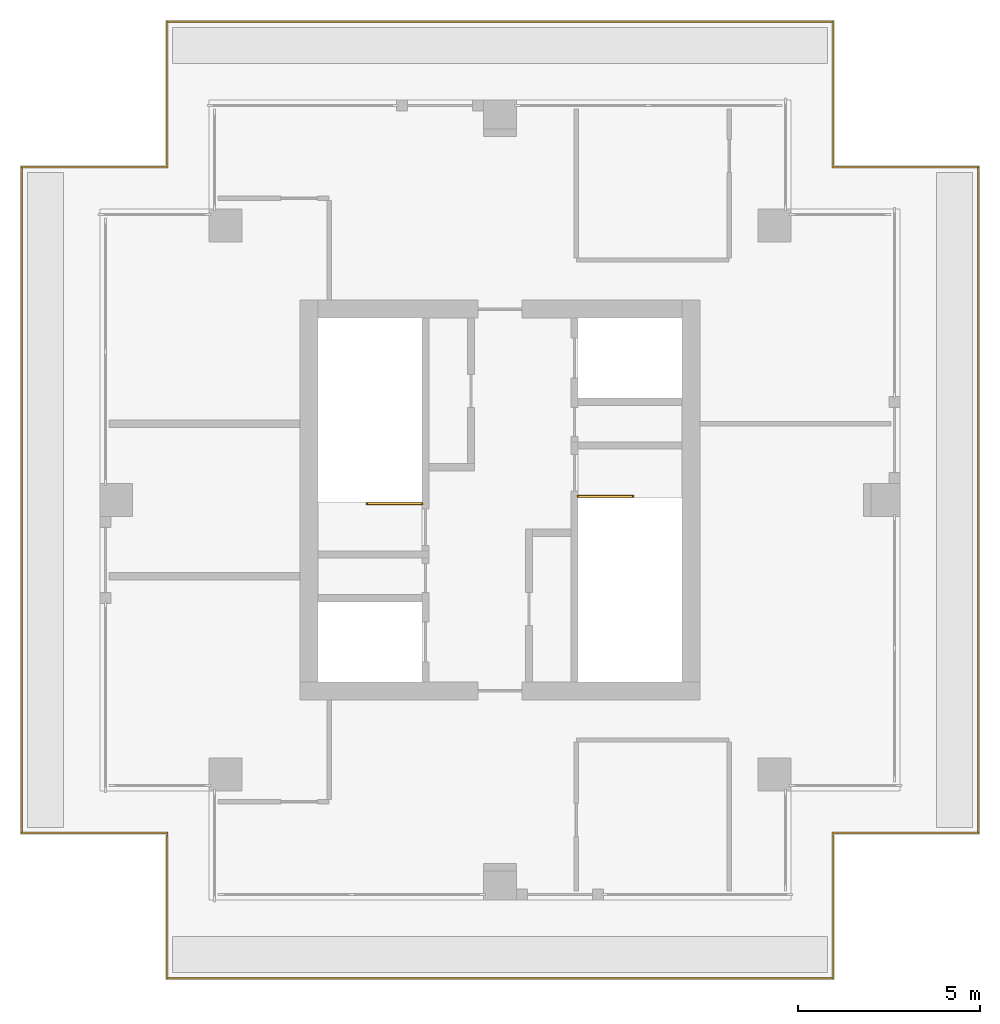
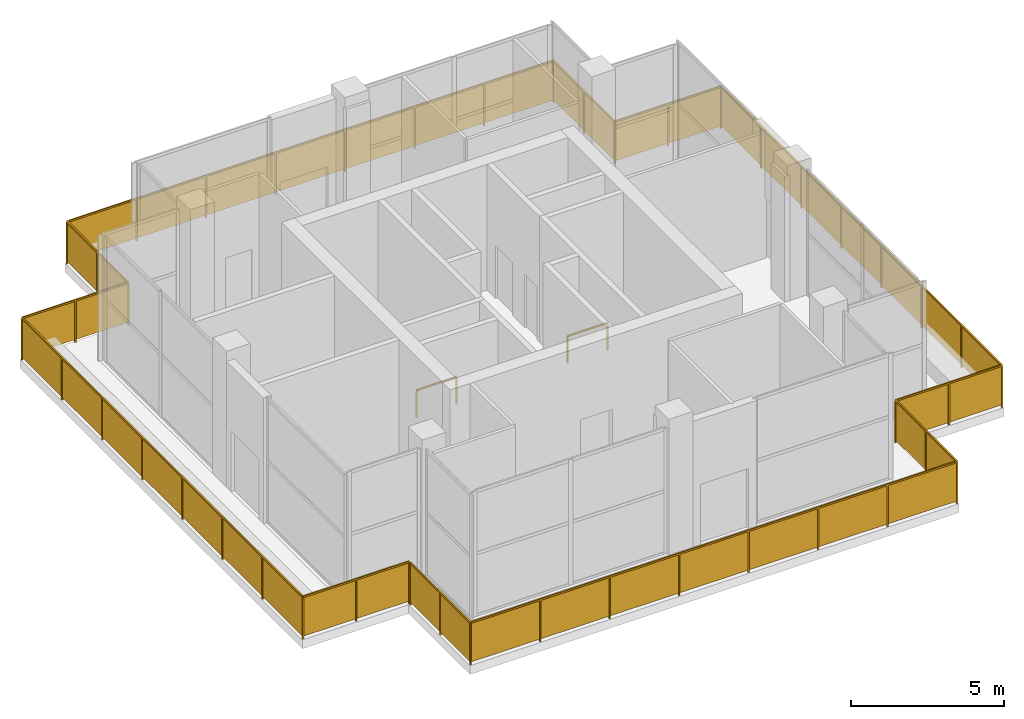
# One storey, part 5 of 5: 4 railings.
"""IFC4 building model written with IfcOpenShell, lengths in metres."""

from ifc_helpers import new_model, si_unit, direction, frame, origin, origin_2d, place, context, subcontext, project, spatial, rectangle, extrude, material, type_object, element, save


model = new_model("IFC4")

# Units and contexts
model_context = context("Model", 3, precision=1e-05, world=origin(), true_north=direction((0.0, 1.0)))
body_context = subcontext(model_context, "Body", "Model", "MODEL_VIEW")
ifc_project = project(units=[si_unit("LENGTHUNIT", "METRE"), si_unit("AREAUNIT", "SQUARE_METRE"), si_unit("VOLUMEUNIT", "CUBIC_METRE"), si_unit("PLANEANGLEUNIT", "RADIAN"), si_unit("MASSUNIT", "GRAM", prefix="KILO")], contexts=[model_context])

# Site, building, storey
site_placement = place(None, origin())
site = spatial("IfcSite", under=ifc_project, at=site_placement, CompositionType="ELEMENT")
building_placement = place(site_placement, origin())
building = spatial("IfcBuilding", under=site, at=building_placement, Name="Khepri Terraces", CompositionType="ELEMENT")
storey_placement = place(building_placement, frame((0.0, 0.0, 316.199951171875)))
storey = spatial("IfcBuildingStorey", under=building, at=storey_placement, Name="L76", CompositionType="ELEMENT", Elevation=316.199951171875)

# Railings
ifc_material_1 = material(Name="Stainless steel grade 316", Category="steel")
railing_type_1 = type_object("IfcRailingType", Name="GRD-TERR-1700", PredefinedType="GUARDRAIL", material=ifc_material_1)
railing_1_placement = place(storey_placement, frame((-9.14990234375, -9.14990234375, 0.0)))
element("IfcRailing", 1, at=railing_1_placement, inside=storey, type_object=railing_type_1, Name="Terrace guard L76", PredefinedType="GUARDRAIL", context=body_context, shape_type="SweptSolid", body=[
    extrude(rectangle(XDim=0.050048828125, YDim=0.06005859375, at=origin_2d()), frame((0.0, 0.0, 1.669921875), z_axis=(-1.0, 0.0, 0.0), x_axis=(0.0, -1.0, 0.0)), (0.0, 0.0, 1.0), 4.0),
    extrude(rectangle(XDim=1.949951171875, YDim=0.011962890625, at=origin_2d()), frame((-1.0, 0.0, 0.10009765625), z_axis=(0.0, 0.0, 1.0), x_axis=(-1.0, 0.0, 0.0)), (0.0, 0.0, 1.0), 1.539794921875),
    extrude(rectangle(XDim=1.949951171875, YDim=0.011962890625, at=origin_2d()), frame((-3.0, 0.0, 0.10009765625), z_axis=(0.0, 0.0, 1.0), x_axis=(-1.0, 0.0, 0.0)), (0.0, 0.0, 1.0), 1.539794921875),
    extrude(rectangle(XDim=0.050048828125, YDim=0.06005859375, at=origin_2d()), frame((-4.0, 0.0, 1.669921875), z_axis=(0.0, 1.0, 0.0), x_axis=(-1.0, 0.0, 0.0)), (0.0, 0.0, 1.0), 18.2998046875),
    extrude(rectangle(XDim=2.564208984375, YDim=0.011962890625, at=origin_2d()), frame((-4.0, 1.30712890625, 0.10009765625), z_axis=(0.0, 0.0, 1.0), x_axis=(0.0, 1.0, 0.0)), (0.0, 0.0, 1.0), 1.539794921875),
    extrude(rectangle(XDim=2.564208984375, YDim=0.011962890625, at=origin_2d()), frame((-4.0, 3.92138671875, 0.10009765625), z_axis=(0.0, 0.0, 1.0), x_axis=(0.0, 1.0, 0.0)), (0.0, 0.0, 1.0), 1.539794921875),
    extrude(rectangle(XDim=2.564208984375, YDim=0.011962890625, at=origin_2d()), frame((-4.0, 6.53564453125, 0.10009765625), z_axis=(0.0, 0.0, 1.0), x_axis=(0.0, 1.0, 0.0)), (0.0, 0.0, 1.0), 1.539794921875),
    extrude(rectangle(XDim=2.564208984375, YDim=0.011962890625, at=origin_2d()), frame((-4.0, 9.14990234375, 0.10009765625), z_axis=(0.0, 0.0, 1.0), x_axis=(0.0, 1.0, 0.0)), (0.0, 0.0, 1.0), 1.539794921875),
    extrude(rectangle(XDim=2.564208984375, YDim=0.011962890625, at=origin_2d()), frame((-4.0, 11.76416015625, 0.10009765625), z_axis=(0.0, 0.0, 1.0), x_axis=(0.0, 1.0, 0.0)), (0.0, 0.0, 1.0), 1.539794921875),
    extrude(rectangle(XDim=2.564208984375, YDim=0.011962890625, at=origin_2d()), frame((-4.0, 14.37841796875, 0.10009765625), z_axis=(0.0, 0.0, 1.0), x_axis=(0.0, 1.0, 0.0)), (0.0, 0.0, 1.0), 1.539794921875),
    extrude(rectangle(XDim=2.564208984375, YDim=0.011962890625, at=origin_2d()), frame((-4.0, 16.99267578125, 0.10009765625), z_axis=(0.0, 0.0, 1.0), x_axis=(0.0, 1.0, 0.0)), (0.0, 0.0, 1.0), 1.539794921875),
    extrude(rectangle(XDim=0.050048828125, YDim=0.06005859375, at=origin_2d()), frame((-4.0, 18.2998046875, 1.669921875), z_axis=(1.0, 0.0, 0.0), x_axis=(0.0, 1.0, 0.0)), (0.0, 0.0, 1.0), 4.0),
    extrude(rectangle(XDim=1.949951171875, YDim=0.011962890625, at=origin_2d()), frame((-3.0, 18.2998046875, 0.10009765625), z_axis=(0.0, 0.0, 1.0), x_axis=(1.0, 0.0, 0.0)), (0.0, 0.0, 1.0), 1.539794921875),
    extrude(rectangle(XDim=1.949951171875, YDim=0.011962890625, at=origin_2d()), frame((-1.0, 18.2998046875, 0.10009765625), z_axis=(0.0, 0.0, 1.0), x_axis=(1.0, 0.0, 0.0)), (0.0, 0.0, 1.0), 1.539794921875),
    extrude(rectangle(XDim=0.050048828125, YDim=0.06005859375, at=origin_2d()), frame((0.0, 18.2998046875, 1.669921875), z_axis=(0.0, 1.0, 0.0), x_axis=(-1.0, 0.0, 0.0)), (0.0, 0.0, 1.0), 4.0),
    extrude(rectangle(XDim=1.949951171875, YDim=0.011962890625, at=origin_2d()), frame((0.0, 19.2998046875, 0.10009765625), z_axis=(0.0, 0.0, 1.0), x_axis=(0.0, 1.0, 0.0)), (0.0, 0.0, 1.0), 1.539794921875),
    extrude(rectangle(XDim=1.949951171875, YDim=0.011962890625, at=origin_2d()), frame((0.0, 21.2998046875, 0.10009765625), z_axis=(0.0, 0.0, 1.0), x_axis=(0.0, 1.0, 0.0)), (0.0, 0.0, 1.0), 1.539794921875),
    extrude(rectangle(XDim=0.050048828125, YDim=0.06005859375, at=origin_2d()), frame((0.0, 22.2998046875, 1.669921875), z_axis=(1.0, 0.0, 0.0), x_axis=(0.0, 1.0, 0.0)), (0.0, 0.0, 1.0), 18.2998046875),
    extrude(rectangle(XDim=2.564208984375, YDim=0.011962890625, at=origin_2d()), frame((1.30712890625, 22.2998046875, 0.10009765625), z_axis=(0.0, 0.0, 1.0), x_axis=(1.0, 0.0, 0.0)), (0.0, 0.0, 1.0), 1.539794921875),
    extrude(rectangle(XDim=2.564208984375, YDim=0.011962890625, at=origin_2d()), frame((3.92138671875, 22.2998046875, 0.10009765625), z_axis=(0.0, 0.0, 1.0), x_axis=(1.0, 0.0, 0.0)), (0.0, 0.0, 1.0), 1.539794921875),
    extrude(rectangle(XDim=2.564208984375, YDim=0.011962890625, at=origin_2d()), frame((6.53564453125, 22.2998046875, 0.10009765625), z_axis=(0.0, 0.0, 1.0), x_axis=(1.0, 0.0, 0.0)), (0.0, 0.0, 1.0), 1.539794921875),
    extrude(rectangle(XDim=2.564208984375, YDim=0.011962890625, at=origin_2d()), frame((9.14990234375, 22.2998046875, 0.10009765625), z_axis=(0.0, 0.0, 1.0), x_axis=(1.0, 0.0, 0.0)), (0.0, 0.0, 1.0), 1.539794921875),
    extrude(rectangle(XDim=2.564208984375, YDim=0.011962890625, at=origin_2d()), frame((11.76416015625, 22.2998046875, 0.10009765625), z_axis=(0.0, 0.0, 1.0), x_axis=(1.0, 0.0, 0.0)), (0.0, 0.0, 1.0), 1.539794921875),
    extrude(rectangle(XDim=2.564208984375, YDim=0.011962890625, at=origin_2d()), frame((14.37841796875, 22.2998046875, 0.10009765625), z_axis=(0.0, 0.0, 1.0), x_axis=(1.0, 0.0, 0.0)), (0.0, 0.0, 1.0), 1.539794921875),
    extrude(rectangle(XDim=2.564208984375, YDim=0.011962890625, at=origin_2d()), frame((16.99267578125, 22.2998046875, 0.10009765625), z_axis=(0.0, 0.0, 1.0), x_axis=(1.0, 0.0, 0.0)), (0.0, 0.0, 1.0), 1.539794921875),
    extrude(rectangle(XDim=0.050048828125, YDim=0.06005859375, at=origin_2d()), frame((18.2998046875, 22.2998046875, 1.669921875), z_axis=(0.0, -1.0, 0.0), x_axis=(1.0, 0.0, 0.0)), (0.0, 0.0, 1.0), 4.0),
    extrude(rectangle(XDim=1.949951171875, YDim=0.011962890625, at=origin_2d()), frame((18.2998046875, 21.2998046875, 0.10009765625), z_axis=(0.0, 0.0, 1.0), x_axis=(0.0, -1.0, 0.0)), (0.0, 0.0, 1.0), 1.539794921875),
    extrude(rectangle(XDim=1.949951171875, YDim=0.011962890625, at=origin_2d()), frame((18.2998046875, 19.2998046875, 0.10009765625), z_axis=(0.0, 0.0, 1.0), x_axis=(0.0, -1.0, 0.0)), (0.0, 0.0, 1.0), 1.539794921875),
    extrude(rectangle(XDim=0.050048828125, YDim=0.06005859375, at=origin_2d()), frame((18.2998046875, 18.2998046875, 1.669921875), z_axis=(1.0, 0.0, 0.0), x_axis=(0.0, 1.0, 0.0)), (0.0, 0.0, 1.0), 4.0),
    extrude(rectangle(XDim=1.949951171875, YDim=0.011962890625, at=origin_2d()), frame((19.2998046875, 18.2998046875, 0.10009765625), z_axis=(0.0, 0.0, 1.0), x_axis=(1.0, 0.0, 0.0)), (0.0, 0.0, 1.0), 1.539794921875),
    extrude(rectangle(XDim=1.949951171875, YDim=0.011962890625, at=origin_2d()), frame((21.2998046875, 18.2998046875, 0.10009765625), z_axis=(0.0, 0.0, 1.0), x_axis=(1.0, 0.0, 0.0)), (0.0, 0.0, 1.0), 1.539794921875),
    extrude(rectangle(XDim=0.050048828125, YDim=0.050048828125, at=origin_2d()), origin(), (0.0, 0.0, 1.0), 1.639892578125),
    extrude(rectangle(XDim=0.050048828125, YDim=0.050048828125, at=origin_2d()), frame((-2.0, 0.0, 0.0)), (0.0, 0.0, 1.0), 1.639892578125),
    extrude(rectangle(XDim=0.050048828125, YDim=0.050048828125, at=origin_2d()), frame((-4.0, 0.0, 0.0)), (0.0, 0.0, 1.0), 1.639892578125),
    extrude(rectangle(XDim=0.050048828125, YDim=0.050048828125, at=origin_2d()), frame((-4.0, 2.6142578125, 0.0)), (0.0, 0.0, 1.0), 1.639892578125),
    extrude(rectangle(XDim=0.050048828125, YDim=0.050048828125, at=origin_2d()), frame((-4.0, 5.228515625, 0.0)), (0.0, 0.0, 1.0), 1.639892578125),
    extrude(rectangle(XDim=0.050048828125, YDim=0.050048828125, at=origin_2d()), frame((-4.0, 7.8427734375, 0.0)), (0.0, 0.0, 1.0), 1.639892578125),
    extrude(rectangle(XDim=0.050048828125, YDim=0.050048828125, at=origin_2d()), frame((-4.0, 10.45703125, 0.0)), (0.0, 0.0, 1.0), 1.639892578125),
    extrude(rectangle(XDim=0.050048828125, YDim=0.050048828125, at=origin_2d()), frame((-4.0, 13.0712890625, 0.0)), (0.0, 0.0, 1.0), 1.639892578125),
    extrude(rectangle(XDim=0.050048828125, YDim=0.050048828125, at=origin_2d()), frame((-4.0, 15.685546875, 0.0)), (0.0, 0.0, 1.0), 1.639892578125),
    extrude(rectangle(XDim=0.050048828125, YDim=0.050048828125, at=origin_2d()), frame((-4.0, 18.2998046875, 0.0)), (0.0, 0.0, 1.0), 1.639892578125),
    extrude(rectangle(XDim=0.050048828125, YDim=0.050048828125, at=origin_2d()), frame((-2.0, 18.2998046875, 0.0)), (0.0, 0.0, 1.0), 1.639892578125),
    extrude(rectangle(XDim=0.050048828125, YDim=0.050048828125, at=origin_2d()), frame((0.0, 18.2998046875, 0.0)), (0.0, 0.0, 1.0), 1.639892578125),
    extrude(rectangle(XDim=0.050048828125, YDim=0.050048828125, at=origin_2d()), frame((0.0, 20.2998046875, 0.0)), (0.0, 0.0, 1.0), 1.639892578125),
    extrude(rectangle(XDim=0.050048828125, YDim=0.050048828125, at=origin_2d()), frame((0.0, 22.2998046875, 0.0)), (0.0, 0.0, 1.0), 1.639892578125),
    extrude(rectangle(XDim=0.050048828125, YDim=0.050048828125, at=origin_2d()), frame((2.6142578125, 22.2998046875, 0.0)), (0.0, 0.0, 1.0), 1.639892578125),
    extrude(rectangle(XDim=0.050048828125, YDim=0.050048828125, at=origin_2d()), frame((5.228515625, 22.2998046875, 0.0)), (0.0, 0.0, 1.0), 1.639892578125),
    extrude(rectangle(XDim=0.050048828125, YDim=0.050048828125, at=origin_2d()), frame((7.8427734375, 22.2998046875, 0.0)), (0.0, 0.0, 1.0), 1.639892578125),
    extrude(rectangle(XDim=0.050048828125, YDim=0.050048828125, at=origin_2d()), frame((10.45703125, 22.2998046875, 0.0)), (0.0, 0.0, 1.0), 1.639892578125),
    extrude(rectangle(XDim=0.050048828125, YDim=0.050048828125, at=origin_2d()), frame((13.0712890625, 22.2998046875, 0.0)), (0.0, 0.0, 1.0), 1.639892578125),
    extrude(rectangle(XDim=0.050048828125, YDim=0.050048828125, at=origin_2d()), frame((15.685546875, 22.2998046875, 0.0)), (0.0, 0.0, 1.0), 1.639892578125),
    extrude(rectangle(XDim=0.050048828125, YDim=0.050048828125, at=origin_2d()), frame((18.2998046875, 22.2998046875, 0.0)), (0.0, 0.0, 1.0), 1.639892578125),
    extrude(rectangle(XDim=0.050048828125, YDim=0.050048828125, at=origin_2d()), frame((18.2998046875, 20.2998046875, 0.0)), (0.0, 0.0, 1.0), 1.639892578125),
    extrude(rectangle(XDim=0.050048828125, YDim=0.050048828125, at=origin_2d()), frame((18.2998046875, 18.2998046875, 0.0)), (0.0, 0.0, 1.0), 1.639892578125),
    extrude(rectangle(XDim=0.050048828125, YDim=0.050048828125, at=origin_2d()), frame((20.2998046875, 18.2998046875, 0.0)), (0.0, 0.0, 1.0), 1.639892578125),
    extrude(rectangle(XDim=0.050048828125, YDim=0.050048828125, at=origin_2d()), frame((22.2998046875, 18.2998046875, 0.0)), (0.0, 0.0, 1.0), 1.639892578125),
])
railing_2_placement = place(storey_placement, frame((13.14990234375, 9.14990234375, 0.0)))
element("IfcRailing", 2, at=railing_2_placement, inside=storey, type_object=railing_type_1, Name="Terrace guard L76", PredefinedType="GUARDRAIL", context=body_context, shape_type="SweptSolid", body=[
    extrude(rectangle(XDim=0.050048828125, YDim=0.06005859375, at=origin_2d()), frame((0.0, 0.0, 1.669921875), z_axis=(0.0, -1.0, 0.0), x_axis=(1.0, 0.0, 0.0)), (0.0, 0.0, 1.0), 18.2998046875),
    extrude(rectangle(XDim=2.564208984375, YDim=0.011962890625, at=origin_2d()), frame((0.0, -1.30712890625, 0.10009765625), z_axis=(0.0, 0.0, 1.0), x_axis=(0.0, -1.0, 0.0)), (0.0, 0.0, 1.0), 1.539794921875),
    extrude(rectangle(XDim=2.564208984375, YDim=0.011962890625, at=origin_2d()), frame((0.0, -3.92138671875, 0.10009765625), z_axis=(0.0, 0.0, 1.0), x_axis=(0.0, -1.0, 0.0)), (0.0, 0.0, 1.0), 1.539794921875),
    extrude(rectangle(XDim=2.564208984375, YDim=0.011962890625, at=origin_2d()), frame((0.0, -6.53564453125, 0.10009765625), z_axis=(0.0, 0.0, 1.0), x_axis=(0.0, -1.0, 0.0)), (0.0, 0.0, 1.0), 1.539794921875),
    extrude(rectangle(XDim=2.564208984375, YDim=0.011962890625, at=origin_2d()), frame((0.0, -9.14990234375, 0.10009765625), z_axis=(0.0, 0.0, 1.0), x_axis=(0.0, -1.0, 0.0)), (0.0, 0.0, 1.0), 1.539794921875),
    extrude(rectangle(XDim=2.564208984375, YDim=0.011962890625, at=origin_2d()), frame((0.0, -11.76416015625, 0.10009765625), z_axis=(0.0, 0.0, 1.0), x_axis=(0.0, -1.0, 0.0)), (0.0, 0.0, 1.0), 1.539794921875),
    extrude(rectangle(XDim=2.564208984375, YDim=0.011962890625, at=origin_2d()), frame((0.0, -14.37841796875, 0.10009765625), z_axis=(0.0, 0.0, 1.0), x_axis=(0.0, -1.0, 0.0)), (0.0, 0.0, 1.0), 1.539794921875),
    extrude(rectangle(XDim=2.564208984375, YDim=0.011962890625, at=origin_2d()), frame((0.0, -16.99267578125, 0.10009765625), z_axis=(0.0, 0.0, 1.0), x_axis=(0.0, -1.0, 0.0)), (0.0, 0.0, 1.0), 1.539794921875),
    extrude(rectangle(XDim=0.050048828125, YDim=0.06005859375, at=origin_2d()), frame((0.0, -18.2998046875, 1.669921875), z_axis=(-1.0, 0.0, 0.0), x_axis=(0.0, -1.0, 0.0)), (0.0, 0.0, 1.0), 4.0),
    extrude(rectangle(XDim=1.949951171875, YDim=0.011962890625, at=origin_2d()), frame((-1.0, -18.2998046875, 0.10009765625), z_axis=(0.0, 0.0, 1.0), x_axis=(-1.0, 0.0, 0.0)), (0.0, 0.0, 1.0), 1.539794921875),
    extrude(rectangle(XDim=1.949951171875, YDim=0.011962890625, at=origin_2d()), frame((-3.0, -18.2998046875, 0.10009765625), z_axis=(0.0, 0.0, 1.0), x_axis=(-1.0, 0.0, 0.0)), (0.0, 0.0, 1.0), 1.539794921875),
    extrude(rectangle(XDim=0.050048828125, YDim=0.06005859375, at=origin_2d()), frame((-4.0, -18.2998046875, 1.669921875), z_axis=(0.0, -1.0, 0.0), x_axis=(1.0, 0.0, 0.0)), (0.0, 0.0, 1.0), 4.0),
    extrude(rectangle(XDim=1.949951171875, YDim=0.011962890625, at=origin_2d()), frame((-4.0, -19.2998046875, 0.10009765625), z_axis=(0.0, 0.0, 1.0), x_axis=(0.0, -1.0, 0.0)), (0.0, 0.0, 1.0), 1.539794921875),
    extrude(rectangle(XDim=1.949951171875, YDim=0.011962890625, at=origin_2d()), frame((-4.0, -21.2998046875, 0.10009765625), z_axis=(0.0, 0.0, 1.0), x_axis=(0.0, -1.0, 0.0)), (0.0, 0.0, 1.0), 1.539794921875),
    extrude(rectangle(XDim=0.050048828125, YDim=0.06005859375, at=origin_2d()), frame((-4.0, -22.2998046875, 1.669921875), z_axis=(-1.0, 0.0, 0.0), x_axis=(0.0, -1.0, 0.0)), (0.0, 0.0, 1.0), 18.2998046875),
    extrude(rectangle(XDim=2.564208984375, YDim=0.011962890625, at=origin_2d()), frame((-5.30712890625, -22.2998046875, 0.10009765625), z_axis=(0.0, 0.0, 1.0), x_axis=(-1.0, 0.0, 0.0)), (0.0, 0.0, 1.0), 1.539794921875),
    extrude(rectangle(XDim=2.564208984375, YDim=0.011962890625, at=origin_2d()), frame((-7.92138671875, -22.2998046875, 0.10009765625), z_axis=(0.0, 0.0, 1.0), x_axis=(-1.0, 0.0, 0.0)), (0.0, 0.0, 1.0), 1.539794921875),
    extrude(rectangle(XDim=2.564208984375, YDim=0.011962890625, at=origin_2d()), frame((-10.53564453125, -22.2998046875, 0.10009765625), z_axis=(0.0, 0.0, 1.0), x_axis=(-1.0, 0.0, 0.0)), (0.0, 0.0, 1.0), 1.539794921875),
    extrude(rectangle(XDim=2.564208984375, YDim=0.011962890625, at=origin_2d()), frame((-13.14990234375, -22.2998046875, 0.10009765625), z_axis=(0.0, 0.0, 1.0), x_axis=(-1.0, 0.0, 0.0)), (0.0, 0.0, 1.0), 1.539794921875),
    extrude(rectangle(XDim=2.564208984375, YDim=0.011962890625, at=origin_2d()), frame((-15.76416015625, -22.2998046875, 0.10009765625), z_axis=(0.0, 0.0, 1.0), x_axis=(-1.0, 0.0, 0.0)), (0.0, 0.0, 1.0), 1.539794921875),
    extrude(rectangle(XDim=2.564208984375, YDim=0.011962890625, at=origin_2d()), frame((-18.37841796875, -22.2998046875, 0.10009765625), z_axis=(0.0, 0.0, 1.0), x_axis=(-1.0, 0.0, 0.0)), (0.0, 0.0, 1.0), 1.539794921875),
    extrude(rectangle(XDim=2.564208984375, YDim=0.011962890625, at=origin_2d()), frame((-20.99267578125, -22.2998046875, 0.10009765625), z_axis=(0.0, 0.0, 1.0), x_axis=(-1.0, 0.0, 0.0)), (0.0, 0.0, 1.0), 1.539794921875),
    extrude(rectangle(XDim=0.050048828125, YDim=0.06005859375, at=origin_2d()), frame((-22.2998046875, -22.2998046875, 1.669921875), z_axis=(0.0, 1.0, 0.0), x_axis=(-1.0, 0.0, 0.0)), (0.0, 0.0, 1.0), 3.919921875),
    extrude(rectangle(XDim=1.909912109375, YDim=0.011962890625, at=origin_2d()), frame((-22.2998046875, -21.31982421875, 0.10009765625), z_axis=(0.0, 0.0, 1.0), x_axis=(0.0, 1.0, 0.0)), (0.0, 0.0, 1.0), 1.539794921875),
    extrude(rectangle(XDim=1.909912109375, YDim=0.011962890625, at=origin_2d()), frame((-22.2998046875, -19.35986328125, 0.10009765625), z_axis=(0.0, 0.0, 1.0), x_axis=(0.0, 1.0, 0.0)), (0.0, 0.0, 1.0), 1.539794921875),
    extrude(rectangle(XDim=0.050048828125, YDim=0.050048828125, at=origin_2d()), frame((0.0, -2.6142578125, 0.0)), (0.0, 0.0, 1.0), 1.639892578125),
    extrude(rectangle(XDim=0.050048828125, YDim=0.050048828125, at=origin_2d()), frame((0.0, -5.228515625, 0.0)), (0.0, 0.0, 1.0), 1.639892578125),
    extrude(rectangle(XDim=0.050048828125, YDim=0.050048828125, at=origin_2d()), frame((0.0, -7.8427734375, 0.0)), (0.0, 0.0, 1.0), 1.639892578125),
    extrude(rectangle(XDim=0.050048828125, YDim=0.050048828125, at=origin_2d()), frame((0.0, -10.45703125, 0.0)), (0.0, 0.0, 1.0), 1.639892578125),
    extrude(rectangle(XDim=0.050048828125, YDim=0.050048828125, at=origin_2d()), frame((0.0, -13.0712890625, 0.0)), (0.0, 0.0, 1.0), 1.639892578125),
    extrude(rectangle(XDim=0.050048828125, YDim=0.050048828125, at=origin_2d()), frame((0.0, -15.685546875, 0.0)), (0.0, 0.0, 1.0), 1.639892578125),
    extrude(rectangle(XDim=0.050048828125, YDim=0.050048828125, at=origin_2d()), frame((0.0, -18.2998046875, 0.0)), (0.0, 0.0, 1.0), 1.639892578125),
    extrude(rectangle(XDim=0.050048828125, YDim=0.050048828125, at=origin_2d()), frame((-2.0, -18.2998046875, 0.0)), (0.0, 0.0, 1.0), 1.639892578125),
    extrude(rectangle(XDim=0.050048828125, YDim=0.050048828125, at=origin_2d()), frame((-4.0, -18.2998046875, 0.0)), (0.0, 0.0, 1.0), 1.639892578125),
    extrude(rectangle(XDim=0.050048828125, YDim=0.050048828125, at=origin_2d()), frame((-4.0, -20.2998046875, 0.0)), (0.0, 0.0, 1.0), 1.639892578125),
    extrude(rectangle(XDim=0.050048828125, YDim=0.050048828125, at=origin_2d()), frame((-4.0, -22.2998046875, 0.0)), (0.0, 0.0, 1.0), 1.639892578125),
    extrude(rectangle(XDim=0.050048828125, YDim=0.050048828125, at=origin_2d()), frame((-6.6142578125, -22.2998046875, 0.0)), (0.0, 0.0, 1.0), 1.639892578125),
    extrude(rectangle(XDim=0.050048828125, YDim=0.050048828125, at=origin_2d()), frame((-9.228515625, -22.2998046875, 0.0)), (0.0, 0.0, 1.0), 1.639892578125),
    extrude(rectangle(XDim=0.050048828125, YDim=0.050048828125, at=origin_2d()), frame((-11.8427734375, -22.2998046875, 0.0)), (0.0, 0.0, 1.0), 1.639892578125),
    extrude(rectangle(XDim=0.050048828125, YDim=0.050048828125, at=origin_2d()), frame((-14.45703125, -22.2998046875, 0.0)), (0.0, 0.0, 1.0), 1.639892578125),
    extrude(rectangle(XDim=0.050048828125, YDim=0.050048828125, at=origin_2d()), frame((-17.0712890625, -22.2998046875, 0.0)), (0.0, 0.0, 1.0), 1.639892578125),
    extrude(rectangle(XDim=0.050048828125, YDim=0.050048828125, at=origin_2d()), frame((-19.685546875, -22.2998046875, 0.0)), (0.0, 0.0, 1.0), 1.639892578125),
    extrude(rectangle(XDim=0.050048828125, YDim=0.050048828125, at=origin_2d()), frame((-22.2998046875, -22.2998046875, 0.0)), (0.0, 0.0, 1.0), 1.639892578125),
    extrude(rectangle(XDim=0.050048828125, YDim=0.050048828125, at=origin_2d()), frame((-22.2998046875, -20.33984375, 0.0)), (0.0, 0.0, 1.0), 1.639892578125),
    extrude(rectangle(XDim=0.050048828125, YDim=0.050048828125, at=origin_2d()), frame((-22.2998046875, -18.3798828125, 0.0)), (0.0, 0.0, 1.0), 1.639892578125),
])
ifc_material_2 = material(Name="Stainless steel 316", Category="steel")
railing_type_2 = type_object("IfcRailingType", Name="RL-CORE-GUARD", PredefinedType="GUARDRAIL", material=ifc_material_2)
railing_3_placement = place(storey_placement, frame((-2.14990234375, -0.10009765625, 0.0)))
element("IfcRailing", 3, at=railing_3_placement, inside=storey, type_object=railing_type_2, Name="L76 ST-1 top well guard 1", PredefinedType="GUARDRAIL", context=body_context, shape_type="SweptSolid", body=[
    extrude(rectangle(XDim=0.050048828125, YDim=0.06005859375, at=origin_2d()), frame((0.0, 0.0, 1.070068359375), z_axis=(-1.0, 0.0, 0.0), x_axis=(0.0, -1.0, 0.0)), (0.0, 0.0, 1.0), 1.5),
    extrude(rectangle(XDim=0.050048828125, YDim=0.050048828125, at=origin_2d()), origin(), (0.0, 0.0, 1.0), 1.0400390625),
    extrude(rectangle(XDim=0.050048828125, YDim=0.050048828125, at=origin_2d()), frame((-1.5, 0.0, 0.0)), (0.0, 0.0, 1.0), 1.0400390625),
])
railing_4_placement = place(storey_placement, frame((2.14990234375, 0.10009765625, 0.0)))
element("IfcRailing", 4, at=railing_4_placement, inside=storey, type_object=railing_type_2, Name="L76 ST-2 top well guard 1", PredefinedType="GUARDRAIL", context=body_context, shape_type="SweptSolid", body=[
    extrude(rectangle(XDim=0.050048828125, YDim=0.06005859375, at=origin_2d()), frame((0.0, 0.0, 1.070068359375), z_axis=(1.0, 0.0, 0.0), x_axis=(0.0, 1.0, 0.0)), (0.0, 0.0, 1.0), 1.5),
    extrude(rectangle(XDim=0.050048828125, YDim=0.050048828125, at=origin_2d()), origin(), (0.0, 0.0, 1.0), 1.0400390625),
    extrude(rectangle(XDim=0.050048828125, YDim=0.050048828125, at=origin_2d()), frame((1.5, 0.0, 0.0)), (0.0, 0.0, 1.0), 1.0400390625),
])

save(model, "model.ifc")
